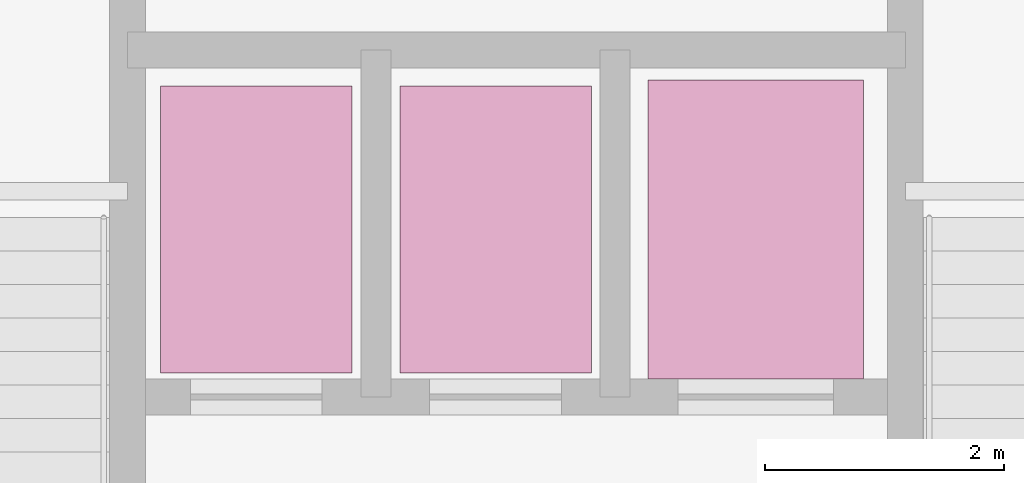
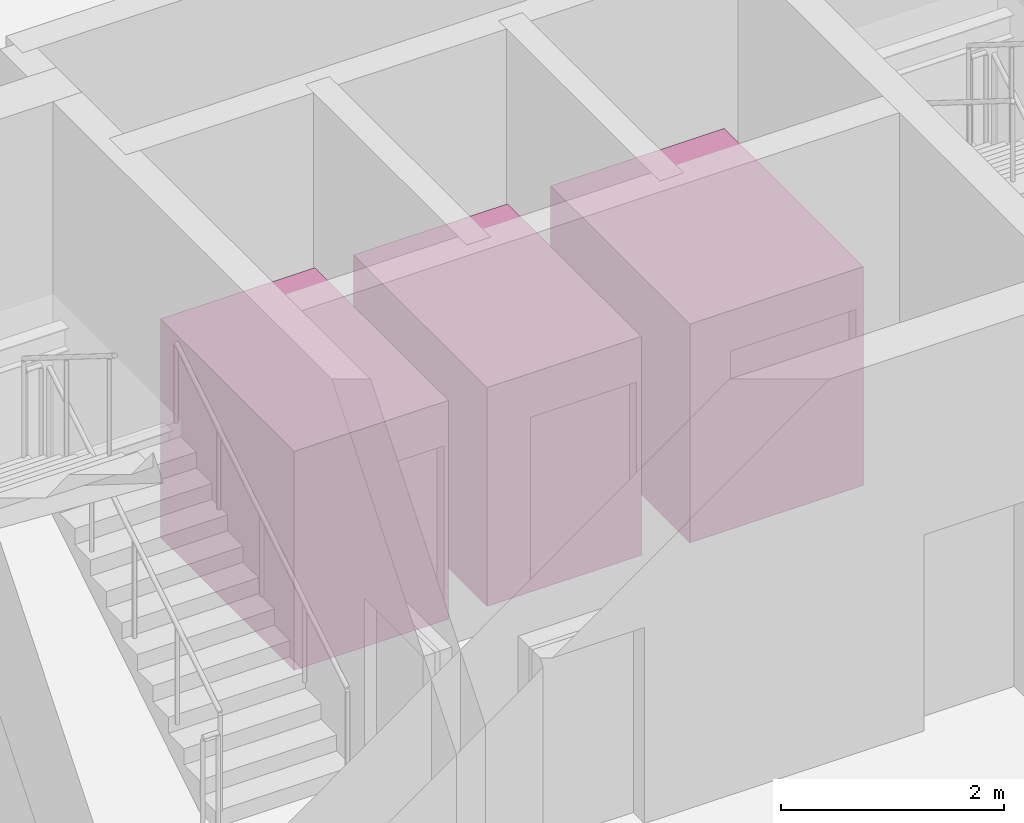
# One storey, part 12 of 12: 3 transport elements.
"""IFC4 building model written with IfcOpenShell, lengths in metres."""

from ifc_helpers import new_model, si_unit, direction, frame, origin, origin_2d, place, context, subcontext, project, spatial, rectangle, extrude, material, type_object, element, save


model = new_model("IFC4")

# Units and contexts
model_context = context("Model", 3, precision=1e-05, world=origin(), true_north=direction((0.0, 1.0)))
body_context = subcontext(model_context, "Body", "Model", "MODEL_VIEW")
ifc_project = project(units=[si_unit("LENGTHUNIT", "METRE"), si_unit("AREAUNIT", "SQUARE_METRE"), si_unit("VOLUMEUNIT", "CUBIC_METRE"), si_unit("PLANEANGLEUNIT", "RADIAN"), si_unit("MASSUNIT", "GRAM", prefix="KILO")], contexts=[model_context])

# Site, building, storey
site_placement = place(None, origin())
site = spatial("IfcSite", under=ifc_project, at=site_placement, CompositionType="ELEMENT")
building_placement = place(site_placement, origin())
building = spatial("IfcBuilding", under=site, at=building_placement, Name="Orvanel Arch Residences", CompositionType="ELEMENT")
storey_placement = place(building_placement, frame((0.0, 0.0, -8.39990234375)))
storey = spatial("IfcBuildingStorey", under=building, at=storey_placement, Name="B02", CompositionType="ELEMENT", Elevation=-8.39990234375)

# Transport elements
ifc_material = material(Name="Galvanised steel fire-resisting door assembly", Category="steel")
transport_element_type_1 = type_object("IfcTransportElementType", Name="LFT-EMG-1350", PredefinedType="ELEVATOR", material=ifc_material)
for number, where, z_axis, x_axis, name in (
    (1, (30.824951171875, 31.300048828125, 0.0), (0.0, 0.0, 1.0), (1.0, 0.0, 0.0), "Dedicated Emergency Firefighting Lift F1"),
    (2, (32.824951171875, 31.300048828125, 0.0), (0.0, 0.0, 1.0), (1.0, 0.0, 0.0), "Dedicated Emergency Firefighting Lift F2"),
):
    element("IfcTransportElement", number, at=place(storey_placement, frame(where, z_axis=z_axis, x_axis=x_axis)), inside=storey, type_object=transport_element_type_1, Name=name, PredefinedType="ELEVATOR", context=body_context, shape_type="SweptSolid", body=[
        extrude(rectangle(XDim=1.60009765625, YDim=2.39990234375, at=origin_2d()), origin(), (0.0, 0.0, 1.0), 2.39990234375),
    ])
transport_element_type_2 = type_object("IfcTransportElementType", Name="LFT-GDS-2000", PredefinedType="ELEVATOR", material=ifc_material)
transport_element_placement = place(storey_placement, frame((35.0, 31.300048828125, 0.0), z_axis=(0.0, 0.0, 1.0), x_axis=(1.0, 0.0, 0.0)))
element("IfcTransportElement", 3, at=transport_element_placement, inside=storey, type_object=transport_element_type_2, Name="Dedicated Goods Service Lift G1", PredefinedType="ELEVATOR", context=body_context, shape_type="SweptSolid", body=[
    extrude(rectangle(XDim=1.800048828125, YDim=2.5, at=origin_2d()), origin(), (0.0, 0.0, 1.0), 2.39990234375),
])

save(model, "model.ifc")
